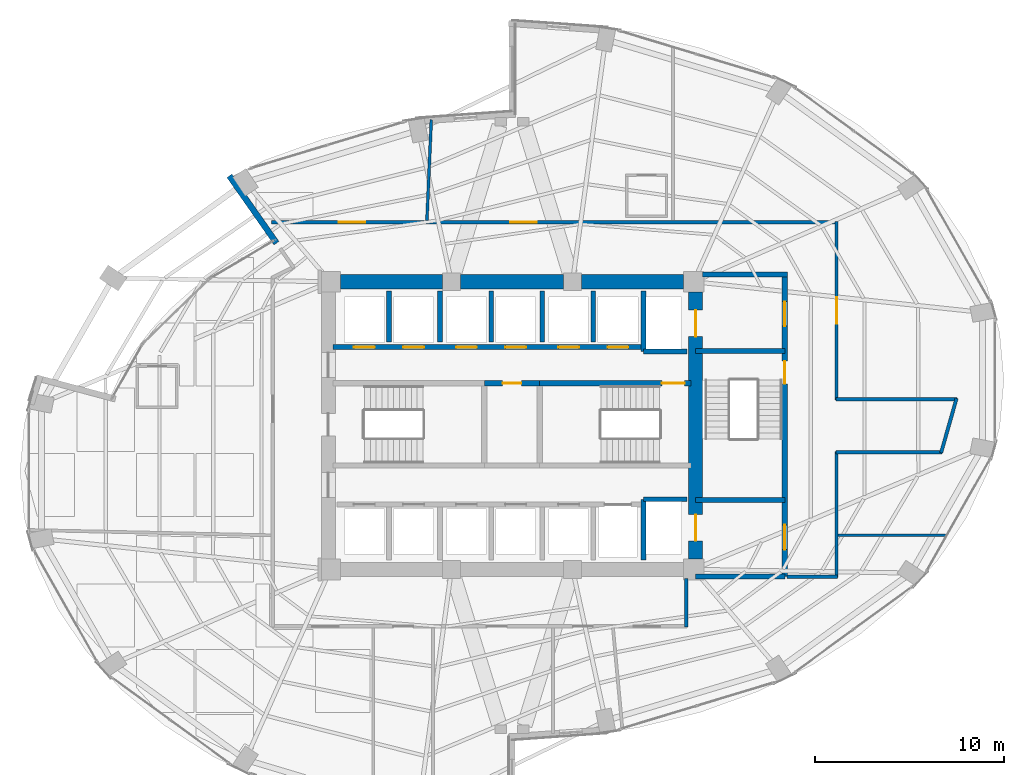
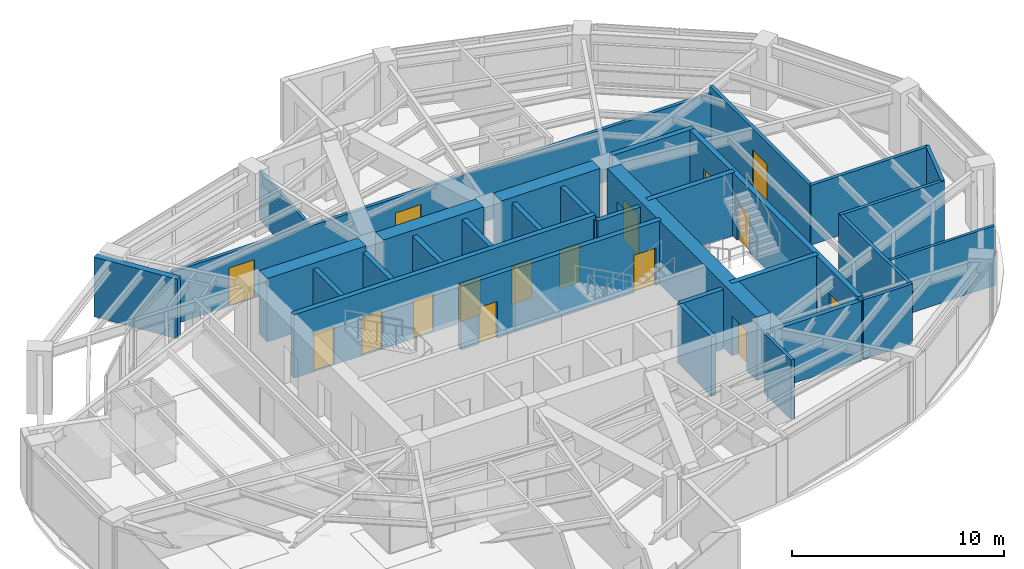
# One storey, part 21 of 24: 32 walls, 16 doors, 16 openings.
"""IFC4 building model written with IfcOpenShell, lengths in metres."""

from ifc_helpers import new_model, si_unit, direction, frame, frame_2d, origin, place, context, subcontext, project, spatial, rectangle, extrude, material, layer, layer_set, type_object, element, fill, save


model = new_model("IFC4")

# Units and contexts
model_context = context("Model", 3, precision=1e-05, world=origin(), true_north=direction((0.0, 1.0)))
body_context = subcontext(model_context, "Body", "Model", "MODEL_VIEW")
ifc_project = project(units=[si_unit("LENGTHUNIT", "METRE"), si_unit("AREAUNIT", "SQUARE_METRE"), si_unit("VOLUMEUNIT", "CUBIC_METRE"), si_unit("PLANEANGLEUNIT", "RADIAN"), si_unit("MASSUNIT", "GRAM", prefix="KILO")], contexts=[model_context])

# Site, building, storey
site_placement = place(None, origin())
site = spatial("IfcSite", under=ifc_project, at=site_placement, CompositionType="ELEMENT")
building_placement = place(site_placement, origin())
building = spatial("IfcBuilding", under=site, at=building_placement, Name="Lazwardi Medical Tower", CompositionType="ELEMENT")
storey_placement = place(building_placement, frame((0.0, 0.0, 118.22412109375)))
storey = spatial("IfcBuildingStorey", under=building, at=storey_placement, Name="L30", CompositionType="ELEMENT", Elevation=118.22412109375)

# Wall, openings, doors
ifc_material_1 = material(Name="Fire-rated gypsum board on steel stud", Category="steel")
ifc_layer_1 = layer(ifc_material_1, 0.179931640625)
ifc_layer_set_1 = layer_set([ifc_layer_1], Name="Fire-rated gypsum board on steel stud")
wall_type_1 = type_object("IfcWallType", Name="WL-COR-180", PredefinedType="PARTITIONING", material=ifc_layer_set_1)
wall_1_placement = place(storey_placement, frame((23.28662109375, 38.75, 0.0), z_axis=(0.0, 0.0, 1.0), x_axis=(1.0, 0.0, 0.0)))
wall_1 = element("IfcWall", 1, at=wall_1_placement, inside=storey, type_object=wall_type_1, Name="L30 Corridor partition 4", PredefinedType="PARTITIONING", context=body_context, shape_type="SweptSolid", body=[
    extrude(rectangle(XDim=29.9033203125, YDim=0.179931640625, at=frame_2d((14.95166015625, 0.0))), origin(), (0.0, 0.0, 1.0), 3.052978515625),
])
opening_1_placement = place(wall_1_placement, frame((12.614990234375, 0.0, 0.0)))
opening_1 = element("IfcOpeningElement", 2, at=opening_1_placement, cuts=wall_1, Name="Opening D-L30-014", PredefinedType="OPENING", context=body_context, shape_type="SweptSolid", body=[
    extrude(rectangle(XDim=1.39990234375, YDim=2.199951171875, at=frame_2d((0.699951171875, 1.10009765625))), frame((0.0, 0.099853515625, 0.0), z_axis=(0.0, -1.0, 0.0), x_axis=(1.0, 0.0, 0.0)), (0.0, 0.0, 1.0), 0.199951171875),
])
opening_2_placement = place(wall_1_placement, frame((3.5673828125, 0.0, 0.0)))
opening_2 = element("IfcOpeningElement", 3, at=opening_2_placement, cuts=wall_1, Name="Opening D-L30-015", PredefinedType="OPENING", context=body_context, shape_type="SweptSolid", body=[
    extrude(rectangle(XDim=1.39990234375, YDim=2.199951171875, at=frame_2d((0.699951171875, 1.10009765625))), frame((0.0, 0.099853515625, 0.0), z_axis=(0.0, -1.0, 0.0), x_axis=(1.0, 0.0, 0.0)), (0.0, 0.0, 1.0), 0.199951171875),
])
ifc_material_2 = material(Name="Anti-microbial laminate hospital leaf")
door_type_1 = type_object("IfcDoorType", Name="DR-BED-1400", OperationType="NOTDEFINED", PredefinedType="DOOR", material=ifc_material_2)
door_1_placement = place(opening_1_placement, origin())
door_1 = element("IfcDoor", 4, at=door_1_placement, inside=storey, type_object=door_type_1, Name="L30 Inpatient Ward Door 07", OperationType="SINGLE_SWING_LEFT", OverallHeight=2.199951171875, OverallWidth=1.39990234375, PredefinedType="DOOR", context=body_context, shape_type="SweptSolid", body=[
    extrude(rectangle(XDim=1.39990234375, YDim=2.199951171875, at=frame_2d((0.699951171875, 1.10009765625))), frame((0.0, 0.02490234375, 0.0), z_axis=(0.0, -1.0, 0.0), x_axis=(1.0, 0.0, 0.0)), (0.0, 0.0, 1.0), 0.050048828125),
])
fill(opening_1, door_1)
door_2_placement = place(opening_2_placement, origin())
door_2 = element("IfcDoor", 5, at=door_2_placement, inside=storey, type_object=door_type_1, Name="L30 Inpatient Ward Door 08", OperationType="SINGLE_SWING_RIGHT", OverallHeight=2.199951171875, OverallWidth=1.39990234375, PredefinedType="DOOR", context=body_context, shape_type="SweptSolid", body=[
    extrude(rectangle(XDim=1.39990234375, YDim=2.199951171875, at=frame_2d((0.699951171875, 1.10009765625))), frame((0.0, 0.02490234375, 0.0), z_axis=(0.0, -1.0, 0.0), x_axis=(1.0, 0.0, 0.0)), (0.0, 0.0, 1.0), 0.050048828125),
])
fill(opening_2, door_2)

# Wall, opening, door
wall_2_placement = place(storey_placement, frame((53.14990234375, 38.7900390625, 0.0), z_axis=(0.0, 0.0, 1.0), x_axis=(0.0, -1.0, 0.0)))
wall_2 = element("IfcWall", 6, at=wall_2_placement, inside=storey, type_object=wall_type_1, Name="L30 Corridor partition 5", PredefinedType="PARTITIONING", context=body_context, shape_type="SweptSolid", body=[
    extrude(rectangle(XDim=9.429931640625, YDim=0.179931640625, at=frame_2d((4.71484375, 0.0))), origin(), (0.0, 0.0, 1.0), 3.427978515625),
])
opening_3_placement = place(wall_2_placement, frame((4.014892578125, 0.0, 0.0)))
opening_3 = element("IfcOpeningElement", 7, at=opening_3_placement, cuts=wall_2, Name="Opening D-L30-013", PredefinedType="OPENING", context=body_context, shape_type="SweptSolid", body=[
    extrude(rectangle(XDim=1.39990234375, YDim=2.199951171875, at=frame_2d((0.699951171875, 1.10009765625))), frame((0.0, 0.099853515625, 0.0), z_axis=(0.0, -1.0, 0.0), x_axis=(1.0, 0.0, 0.0)), (0.0, 0.0, 1.0), 0.199951171875),
])
door_3_placement = place(opening_3_placement, origin())
door_3 = element("IfcDoor", 8, at=door_3_placement, inside=storey, type_object=door_type_1, Name="L30 Inpatient Ward Door 06", OperationType="SINGLE_SWING_LEFT", OverallHeight=2.199951171875, OverallWidth=1.39990234375, PredefinedType="DOOR", context=body_context, shape_type="SweptSolid", body=[
    extrude(rectangle(XDim=1.39990234375, YDim=2.199951171875, at=frame_2d((0.699951171875, 1.10009765625))), frame((0.0, 0.02490234375, 0.0), z_axis=(0.0, -1.0, 0.0), x_axis=(1.0, 0.0, 0.0)), (0.0, 0.0, 1.0), 0.050048828125),
])
fill(opening_3, door_3)

# Walls
wall_3_placement = place(storey_placement, frame((53.110107421875, 29.39990234375, 0.0), z_axis=(0.0, 0.0, 1.0), x_axis=(1.0, 0.0, 0.0)))
element("IfcWall", 9, at=wall_3_placement, inside=storey, type_object=wall_type_1, Name="L30 Corridor partition 6", PredefinedType="PARTITIONING", context=body_context, shape_type="SweptSolid", body=[
    extrude(rectangle(XDim=6.41259765625, YDim=0.179931640625, at=frame_2d((3.206298828125, 0.0))), origin(), (0.0, 0.0, 1.0), 3.427978515625),
])
wall_4_placement = place(storey_placement, frame((59.49365234375, 29.4384765625, 0.0), z_axis=(0.0, 0.0, 1.0), x_axis=(-0.273222154729, -0.961950962453, 0.0)))
element("IfcWall", 10, at=wall_4_placement, inside=storey, type_object=wall_type_1, Name="L30 Corridor partition 7", PredefinedType="PARTITIONING", context=body_context, shape_type="SweptSolid", body=[
    extrude(rectangle(XDim=2.99072265625, YDim=0.179931640625, at=frame_2d((1.495361328125, 0.0))), origin(), (0.0, 0.0, 1.0), 3.427978515625),
])
wall_5_placement = place(storey_placement, frame((58.727294921875, 26.60009765625, 0.0), z_axis=(0.0, 0.0, 1.0), x_axis=(-1.0, 0.0, 0.0)))
element("IfcWall", 11, at=wall_5_placement, inside=storey, type_object=wall_type_1, Name="L30 Corridor partition 8", PredefinedType="PARTITIONING", context=body_context, shape_type="SweptSolid", body=[
    extrude(rectangle(XDim=5.6171875, YDim=0.179931640625, at=frame_2d((2.80859375, 0.0))), origin(), (0.0, 0.0, 1.0), 3.427978515625),
])
wall_6_placement = place(storey_placement, frame((53.14990234375, 26.639892578125, 0.0), z_axis=(0.0, 0.0, 1.0), x_axis=(0.0, -1.0, 0.0)))
element("IfcWall", 12, at=wall_6_placement, inside=storey, type_object=wall_type_1, Name="L30 Corridor partition 9", PredefinedType="PARTITIONING", context=body_context, shape_type="SweptSolid", body=[
    extrude(rectangle(XDim=6.659912109375, YDim=0.179931640625, at=frame_2d((3.330078125, 0.0))), origin(), (0.0, 0.0, 1.0), 3.427978515625),
])
wall_7_placement = place(storey_placement, frame((53.18994140625, 20.02001953125, 0.0), z_axis=(0.0, 0.0, 1.0), x_axis=(-1.0, 0.0, 0.0)))
element("IfcWall", 13, at=wall_7_placement, inside=storey, type_object=wall_type_1, Name="L30 Corridor partition 10", PredefinedType="PARTITIONING", context=body_context, shape_type="SweptSolid", body=[
    extrude(rectangle(XDim=2.64990234375, YDim=0.179931640625, at=frame_2d((1.324951171875, 0.0))), origin(), (0.0, 0.0, 1.0), 3.427978515625),
])
wall_8_placement = place(storey_placement, frame((45.199951171875, 19.909912109375, 0.0), z_axis=(0.0, 0.0, 1.0), x_axis=(0.0, -1.0, 0.0)))
element("IfcWall", 14, at=wall_8_placement, inside=storey, type_object=wall_type_1, Name="L30 Corridor partition 13", PredefinedType="PARTITIONING", context=body_context, shape_type="SweptSolid", body=[
    extrude(rectangle(XDim=2.5498046875, YDim=0.179931640625, at=frame_2d((1.27490234375, 0.0))), origin(), (0.0, 0.0, 1.0), 3.427978515625),
])

# Wall, openings, doors
ifc_material_3 = material(Name="Concrete C70/85", Category="concrete")
ifc_layer_2 = layer(ifc_material_3, 0.75)
ifc_layer_set_2 = layer_set([ifc_layer_2], Name="Concrete C70/85")
wall_type_2 = type_object("IfcWallType", Name="WL-CORE-750", PredefinedType="SHEAR", material=ifc_layer_set_2)
wall_9_placement = place(storey_placement, frame((45.699951171875, 20.949951171875, 0.0), z_axis=(0.0, 0.0, 1.0), x_axis=(0.0, 1.0, 0.0)))
wall_9 = element("IfcWall", 15, at=wall_9_placement, inside=storey, type_object=wall_type_2, Name="Core wall CW-S2 east L30", PredefinedType="SHEAR", context=body_context, shape_type="SweptSolid", body=[
    extrude(rectangle(XDim=14.10009765625, YDim=0.75, at=frame_2d((7.050048828125, 0.0))), origin(), (0.0, 0.0, 1.0), 3.64794921875),
])
opening_4_placement = place(wall_9_placement, frame((11.75, 0.0, 0.0)))
opening_4 = element("IfcOpeningElement", 16, at=opening_4_placement, cuts=wall_9, Name="Opening LD-L30-001", PredefinedType="OPENING", context=body_context, shape_type="SweptSolid", body=[
    extrude(rectangle(XDim=1.39990234375, YDim=2.300048828125, at=frame_2d((0.699951171875, 1.14990234375))), frame((0.0, 0.385009765625, 0.0), z_axis=(0.0, -1.0, 0.0), x_axis=(1.0, 0.0, 0.0)), (0.0, 0.0, 1.0), 0.77001953125),
])
opening_5_placement = place(wall_9_placement, frame((0.949951171875, 0.0, 0.0)))
opening_5 = element("IfcOpeningElement", 17, at=opening_5_placement, cuts=wall_9, Name="Opening LD-L30-002", PredefinedType="OPENING", context=body_context, shape_type="SweptSolid", body=[
    extrude(rectangle(XDim=1.39990234375, YDim=2.300048828125, at=frame_2d((0.699951171875, 1.14990234375))), frame((0.0, 0.385009765625, 0.0), z_axis=(0.0, -1.0, 0.0), x_axis=(1.0, 0.0, 0.0)), (0.0, 0.0, 1.0), 0.77001953125),
])
ifc_material_4 = material(Name="Brushed stainless steel bed-lift landing door", Category="steel")
door_type_2 = type_object("IfcDoorType", Name="DR-LFT-1400", OperationType="NOTDEFINED", PredefinedType="DOOR", material=ifc_material_4)
door_4_placement = place(opening_4_placement, origin())
door_4 = element("IfcDoor", 18, at=door_4_placement, inside=storey, type_object=door_type_2, Name="L30 Lift Landing Door FL-01", OperationType="SLIDING_TO_LEFT", OverallHeight=2.300048828125, OverallWidth=1.39990234375, PredefinedType="DOOR", context=body_context, shape_type="SweptSolid", body=[
    extrude(rectangle(XDim=1.39990234375, YDim=2.300048828125, at=frame_2d((0.699951171875, 1.14990234375))), frame((0.0, 0.02490234375, 0.0), z_axis=(0.0, -1.0, 0.0), x_axis=(1.0, 0.0, 0.0)), (0.0, 0.0, 1.0), 0.050048828125),
])
fill(opening_4, door_4)
door_5_placement = place(opening_5_placement, origin())
door_5 = element("IfcDoor", 19, at=door_5_placement, inside=storey, type_object=door_type_2, Name="L30 Lift Landing Door FL-02", OperationType="SLIDING_TO_LEFT", OverallHeight=2.300048828125, OverallWidth=1.39990234375, PredefinedType="DOOR", context=body_context, shape_type="SweptSolid", body=[
    extrude(rectangle(XDim=1.39990234375, YDim=2.300048828125, at=frame_2d((0.699951171875, 1.14990234375))), frame((0.0, 0.02490234375, 0.0), z_axis=(0.0, -1.0, 0.0), x_axis=(1.0, 0.0, 0.0)), (0.0, 0.0, 1.0), 0.050048828125),
])
fill(opening_5, door_5)

# Walls
wall_10_placement = place(storey_placement, frame((26.949951171875, 35.60009765625, 0.0), z_axis=(0.0, 0.0, 1.0), x_axis=(1.0, 0.0, 0.0)))
element("IfcWall", 20, at=wall_10_placement, inside=storey, type_object=wall_type_2, Name="Core wall CW-S2 N1 L30", PredefinedType="SHEAR", context=body_context, shape_type="SweptSolid", body=[
    extrude(rectangle(XDim=5.375, YDim=0.75, at=frame_2d((2.6875, 0.0))), origin(), (0.0, 0.0, 1.0), 3.64794921875),
])
wall_11_placement = place(storey_placement, frame((33.27490234375, 35.60009765625, 0.0), z_axis=(0.0, 0.0, 1.0), x_axis=(1.0, 0.0, 0.0)))
element("IfcWall", 21, at=wall_11_placement, inside=storey, type_object=wall_type_2, Name="Core wall CW-S2 N2 L30", PredefinedType="SHEAR", context=body_context, shape_type="SweptSolid", body=[
    extrude(rectangle(XDim=5.4501953125, YDim=0.75, at=frame_2d((2.72509765625, 0.0))), origin(), (0.0, 0.0, 1.0), 3.64794921875),
])
wall_12_placement = place(storey_placement, frame((39.675048828125, 35.60009765625, 0.0), z_axis=(0.0, 0.0, 1.0), x_axis=(1.0, 0.0, 0.0)))
element("IfcWall", 22, at=wall_12_placement, inside=storey, type_object=wall_type_2, Name="Core wall CW-S2 N3 L30", PredefinedType="SHEAR", context=body_context, shape_type="SweptSolid", body=[
    extrude(rectangle(XDim=5.375, YDim=0.75, at=frame_2d((2.6875, 0.0))), origin(), (0.0, 0.0, 1.0), 3.64794921875),
])
ifc_material_5 = material(Name="Precast concrete C45/55", Category="concrete")
ifc_layer_3 = layer(ifc_material_5, 0.320068359375)
ifc_layer_set_3 = layer_set([ifc_layer_3], Name="Precast concrete C45/55")
wall_type_3 = type_object("IfcWallType", Name="WL-IWAN-320", PredefinedType="SOLIDWALL", material=ifc_layer_set_3)
wall_13_placement = place(storey_placement, frame((21.064208984375, 41.196533203125, 0.0), z_axis=(0.0, 0.0, 1.0), x_axis=(0.573586931721, -0.819144695252, 0.0)))
element("IfcWall", 23, at=wall_13_placement, inside=storey, type_object=wall_type_3, Name="L30 Sky Garden SG2 Flank Wall S0", PredefinedType="SOLIDWALL", context=body_context, shape_type="SweptSolid", body=[
    extrude(rectangle(XDim=4.33984375, YDim=0.320068359375, at=frame_2d((2.169921875, 0.0))), origin(), (0.0, 0.0, 1.0), 3.427978515625),
])
ifc_material_6 = material(Name="Autoclaved aerated concrete blockwork", Category="masonry")
ifc_layer_4 = layer(ifc_material_6, 0.25)
ifc_layer_set_4 = layer_set([ifc_layer_4], Name="Autoclaved aerated concrete blockwork")
wall_type_4 = type_object("IfcWallType", Name="WL-SHAFT-250", PredefinedType="SOLIDWALL", material=ifc_layer_set_4)
wall_14_placement = place(storey_placement, frame((42.949951171875, 31.919921875, 0.0), z_axis=(0.0, 0.0, 1.0), x_axis=(0.0, 1.0, 0.0)))
element("IfcWall", 24, at=wall_14_placement, inside=storey, type_object=wall_type_4, Name="L30 FL-01 West shaft wall", PredefinedType="SOLIDWALL", context=body_context, shape_type="SweptSolid", body=[
    extrude(rectangle(XDim=3.18017578125, YDim=0.25, at=frame_2d((1.590087890625, 0.0))), origin(), (0.0, 0.0, 1.0), 3.427978515625),
])
wall_15_placement = place(storey_placement, frame((42.949951171875, 31.919921875, 0.0), z_axis=(0.0, 0.0, 1.0), x_axis=(1.0, 0.0, 0.0)))
element("IfcWall", 25, at=wall_15_placement, inside=storey, type_object=wall_type_4, Name="L30 FL-01 South shaft wall", PredefinedType="SOLIDWALL", context=body_context, shape_type="SweptSolid", body=[
    extrude(rectangle(XDim=2.300048828125, YDim=0.25, at=frame_2d((1.14990234375, 0.0))), origin(), (0.0, 0.0, 1.0), 3.427978515625),
])
wall_16_placement = place(storey_placement, frame((42.949951171875, 20.89990234375, 0.0), z_axis=(0.0, 0.0, 1.0), x_axis=(0.0, 1.0, 0.0)))
element("IfcWall", 26, at=wall_16_placement, inside=storey, type_object=wall_type_4, Name="L30 FL-02 West shaft wall", PredefinedType="SOLIDWALL", context=body_context, shape_type="SweptSolid", body=[
    extrude(rectangle(XDim=3.2001953125, YDim=0.25, at=frame_2d((1.60009765625, 0.0))), origin(), (0.0, 0.0, 1.0), 3.427978515625),
])
wall_17_placement = place(storey_placement, frame((42.949951171875, 24.10009765625, 0.0), z_axis=(0.0, 0.0, 1.0), x_axis=(1.0, 0.0, 0.0)))
element("IfcWall", 27, at=wall_17_placement, inside=storey, type_object=wall_type_4, Name="L30 FL-02 North shaft wall", PredefinedType="SOLIDWALL", context=body_context, shape_type="SweptSolid", body=[
    extrude(rectangle(XDim=2.300048828125, YDim=0.25, at=frame_2d((1.14990234375, 0.0))), origin(), (0.0, 0.0, 1.0), 3.427978515625),
])
for number, where, z_axis, x_axis, name in (
    (28, (29.5, 32.419921875, 0.0), (0.0, 0.0, 1.0), (0.0, 1.0, 0.0), "L30 North hoistway divider"),
    (29, (32.199951171875, 32.419921875, 0.0), (0.0, 0.0, 1.0), (0.0, 1.0, 0.0), "L30 North hoistway divider"),
    (30, (34.89990234375, 32.419921875, 0.0), (0.0, 0.0, 1.0), (0.0, 1.0, 0.0), "L30 North hoistway divider"),
    (31, (37.60009765625, 32.419921875, 0.0), (0.0, 0.0, 1.0), (0.0, 1.0, 0.0), "L30 North hoistway divider"),
    (32, (40.300048828125, 32.419921875, 0.0), (0.0, 0.0, 1.0), (0.0, 1.0, 0.0), "L30 North hoistway divider"),
):
    element("IfcWall", number, at=place(storey_placement, frame(where, z_axis=z_axis, x_axis=x_axis)), inside=storey, type_object=wall_type_4, Name=name, PredefinedType="SOLIDWALL", context=body_context, shape_type="SweptSolid", body=[
        extrude(rectangle(XDim=2.68017578125, YDim=0.25, at=frame_2d((1.340087890625, 0.0))), origin(), (0.0, 0.0, 1.0), 3.427978515625),
    ])
wall_18_placement = place(storey_placement, frame((45.699951171875, 20.02001953125, 0.0), z_axis=(0.0, 0.0, 1.0), x_axis=(1.0, 0.0, 0.0)))
element("IfcWall", 33, at=wall_18_placement, inside=storey, type_object=wall_type_4, Name="L30 FFL-S South wall", PredefinedType="SOLIDWALL", context=body_context, shape_type="SweptSolid", body=[
    extrude(rectangle(XDim=4.715087890625, YDim=0.25, at=frame_2d((2.357421875, 0.0))), origin(), (0.0, 0.0, 1.0), 3.427978515625),
])

# Wall, opening, door
ifc_material_7 = material(Name="Concrete C50/60", Category="concrete")
ifc_layer_5 = layer(ifc_material_7, 0.27001953125)
ifc_layer_set_5 = layer_set([ifc_layer_5], Name="Concrete C50/60")
wall_type_5 = type_object("IfcWallType", Name="WL-STR-250", PredefinedType="SHEAR", material=ifc_layer_set_5)
wall_19_placement = place(storey_placement, frame((34.534912109375, 30.235107421875, 0.0), z_axis=(0.0, 0.0, 1.0), x_axis=(1.0, 0.0, 0.0)))
wall_19 = element("IfcWall", 34, at=wall_19_placement, inside=storey, type_object=wall_type_5, Name="L30 Core service North shear wall SW-S1", PredefinedType="SHEAR", context=body_context, shape_type="SweptSolid", body=[
    extrude(rectangle(XDim=2.93017578125, YDim=0.27001953125, at=frame_2d((1.465087890625, 0.0))), origin(), (0.0, 0.0, 1.0), 3.64794921875),
])
opening_6_placement = place(wall_19_placement, frame((0.965087890625, 0.0, 0.0)))
opening_6 = element("IfcOpeningElement", 35, at=opening_6_placement, cuts=wall_19, Name="Opening D-L30-001", PredefinedType="OPENING", context=body_context, shape_type="SweptSolid", body=[
    extrude(rectangle(XDim=1.0, YDim=2.10009765625, at=frame_2d((0.5, 1.050048828125))), frame((0.0, 0.14501953125, 0.0), z_axis=(0.0, -1.0, 0.0), x_axis=(1.0, 0.0, 0.0)), (0.0, 0.0, 1.0), 0.2900390625),
])
ifc_material_8 = material(Name="Moisture-resistant laminate door leaf")
door_type_3 = type_object("IfcDoorType", Name="DR-AWC-1000", OperationType="NOTDEFINED", PredefinedType="DOOR", material=ifc_material_8)
door_6_placement = place(opening_6_placement, origin())
door_6 = element("IfcDoor", 36, at=door_6_placement, inside=storey, type_object=door_type_3, Name="L30 Accessible WC Door", OperationType="SINGLE_SWING_RIGHT", OverallHeight=2.10009765625, OverallWidth=1.0, PredefinedType="DOOR", context=body_context, shape_type="SweptSolid", body=[
    extrude(rectangle(XDim=1.0, YDim=2.10009765625, at=frame_2d((0.5, 1.050048828125))), frame((0.0, 0.02490234375, 0.0), z_axis=(0.0, -1.0, 0.0), x_axis=(1.0, 0.0, 0.0)), (0.0, 0.0, 1.0), 0.050048828125),
])
fill(opening_6, door_6)

wall_20_placement = place(storey_placement, frame((37.465087890625, 30.235107421875, 0.0), z_axis=(0.0, 0.0, 1.0), x_axis=(1.0, 0.0, 0.0)))
wall_20 = element("IfcWall", 37, at=wall_20_placement, inside=storey, type_object=wall_type_5, Name="L30 ST2 North shear shaft wall SW-S1", PredefinedType="SHEAR", context=body_context, shape_type="SweptSolid", body=[
    extrude(rectangle(XDim=7.98486328125, YDim=0.27001953125, at=frame_2d((3.992431640625, 0.0))), origin(), (0.0, 0.0, 1.0), 3.64794921875),
])
opening_7_placement = place(wall_20_placement, frame((6.455078125, 0.0, 0.0)))
opening_7 = element("IfcOpeningElement", 38, at=opening_7_placement, cuts=wall_20, Name="Opening D-L30-018", PredefinedType="OPENING", context=body_context, shape_type="SweptSolid", body=[
    extrude(rectangle(XDim=1.199951171875, YDim=2.14990234375, at=frame_2d((0.60009765625, 1.074951171875))), frame((0.0, 0.14501953125, 0.0), z_axis=(0.0, -1.0, 0.0), x_axis=(1.0, 0.0, 0.0)), (0.0, 0.0, 1.0), 0.2900390625),
])
ifc_material_9 = material(Name="Fire-rated steel leaf and frame", Category="steel")
door_type_4 = type_object("IfcDoorType", Name="DR-STR-1200", OperationType="NOTDEFINED", PredefinedType="DOOR", material=ifc_material_9)
door_7_placement = place(opening_7_placement, origin())
door_7 = element("IfcDoor", 39, at=door_7_placement, inside=storey, type_object=door_type_4, Name="L30 Exit Stair ST2 Door", OperationType="SINGLE_SWING_LEFT", OverallHeight=2.14990234375, OverallWidth=1.199951171875, PredefinedType="DOOR", context=body_context, shape_type="SweptSolid", body=[
    extrude(rectangle(XDim=1.199951171875, YDim=2.14990234375, at=frame_2d((0.60009765625, 1.074951171875))), frame((0.0, 0.02490234375, 0.0), z_axis=(0.0, -1.0, 0.0), x_axis=(1.0, 0.0, 0.0)), (0.0, 0.0, 1.0), 0.050048828125),
])
fill(opening_7, door_7)

# Wall, openings, doors
wall_21_placement = place(storey_placement, frame((26.550048828125, 32.14990234375, 0.0), z_axis=(0.0, 0.0, 1.0), x_axis=(1.0, 0.0, 0.0)))
wall_21 = element("IfcWall", 40, at=wall_21_placement, inside=storey, type_object=wall_type_5, Name="L30 North lift bank shear wall SW-S1", PredefinedType="SHEAR", context=body_context, shape_type="SweptSolid", body=[
    extrude(rectangle(XDim=16.39990234375, YDim=0.27001953125, at=frame_2d((8.199951171875, 0.0))), origin(), (0.0, 0.0, 1.0), 3.64794921875),
])
opening_8_placement = place(wall_21_placement, frame((1.10009765625, 0.0, 0.0)))
opening_8 = element("IfcOpeningElement", 41, at=opening_8_placement, cuts=wall_21, Name="Opening LD-L30-004", PredefinedType="OPENING", context=body_context, shape_type="SweptSolid", body=[
    extrude(rectangle(XDim=1.10009765625, YDim=2.199951171875, at=frame_2d((0.550048828125, 1.10009765625))), frame((0.0, 0.14501953125, 0.0), z_axis=(0.0, -1.0, 0.0), x_axis=(1.0, 0.0, 0.0)), (0.0, 0.0, 1.0), 0.2900390625),
])
opening_9_placement = place(wall_21_placement, frame((3.699951171875, 0.0, 0.0)))
opening_9 = element("IfcOpeningElement", 42, at=opening_9_placement, cuts=wall_21, Name="Opening LD-L30-005", PredefinedType="OPENING", context=body_context, shape_type="SweptSolid", body=[
    extrude(rectangle(XDim=1.10009765625, YDim=2.199951171875, at=frame_2d((0.550048828125, 1.10009765625))), frame((0.0, 0.14501953125, 0.0), z_axis=(0.0, -1.0, 0.0), x_axis=(1.0, 0.0, 0.0)), (0.0, 0.0, 1.0), 0.2900390625),
])
opening_10_placement = place(wall_21_placement, frame((6.5, 0.0, 0.0)))
opening_10 = element("IfcOpeningElement", 43, at=opening_10_placement, cuts=wall_21, Name="Opening LD-L30-008", PredefinedType="OPENING", context=body_context, shape_type="SweptSolid", body=[
    extrude(rectangle(XDim=1.10009765625, YDim=2.199951171875, at=frame_2d((0.550048828125, 1.10009765625))), frame((0.0, 0.14501953125, 0.0), z_axis=(0.0, -1.0, 0.0), x_axis=(1.0, 0.0, 0.0)), (0.0, 0.0, 1.0), 0.2900390625),
])
opening_11_placement = place(wall_21_placement, frame((9.10009765625, 0.0, 0.0)))
opening_11 = element("IfcOpeningElement", 44, at=opening_11_placement, cuts=wall_21, Name="Opening LD-L30-009", PredefinedType="OPENING", context=body_context, shape_type="SweptSolid", body=[
    extrude(rectangle(XDim=1.10009765625, YDim=2.199951171875, at=frame_2d((0.550048828125, 1.10009765625))), frame((0.0, 0.14501953125, 0.0), z_axis=(0.0, -1.0, 0.0), x_axis=(1.0, 0.0, 0.0)), (0.0, 0.0, 1.0), 0.2900390625),
])
opening_12_placement = place(wall_21_placement, frame((11.89990234375, 0.0, 0.0)))
opening_12 = element("IfcOpeningElement", 45, at=opening_12_placement, cuts=wall_21, Name="Opening LD-L30-012", PredefinedType="OPENING", context=body_context, shape_type="SweptSolid", body=[
    extrude(rectangle(XDim=1.10009765625, YDim=2.199951171875, at=frame_2d((0.550048828125, 1.10009765625))), frame((0.0, 0.14501953125, 0.0), z_axis=(0.0, -1.0, 0.0), x_axis=(1.0, 0.0, 0.0)), (0.0, 0.0, 1.0), 0.2900390625),
])
opening_13_placement = place(wall_21_placement, frame((14.5, 0.0, 0.0)))
opening_13 = element("IfcOpeningElement", 46, at=opening_13_placement, cuts=wall_21, Name="Opening LD-L30-013", PredefinedType="OPENING", context=body_context, shape_type="SweptSolid", body=[
    extrude(rectangle(XDim=1.10009765625, YDim=2.199951171875, at=frame_2d((0.550048828125, 1.10009765625))), frame((0.0, 0.14501953125, 0.0), z_axis=(0.0, -1.0, 0.0), x_axis=(1.0, 0.0, 0.0)), (0.0, 0.0, 1.0), 0.2900390625),
])
ifc_material_10 = material(Name="Brushed bronze stainless steel landing door", Category="steel")
door_type_5 = type_object("IfcDoorType", Name="DR-LFT-1100", OperationType="NOTDEFINED", PredefinedType="DOOR", material=ifc_material_10)
door_8_placement = place(opening_8_placement, origin())
door_8 = element("IfcDoor", 47, at=door_8_placement, inside=storey, type_object=door_type_5, Name="L30 Lift Landing Door PL-01", OperationType="SLIDING_TO_LEFT", OverallHeight=2.199951171875, OverallWidth=1.10009765625, PredefinedType="DOOR", context=body_context, shape_type="SweptSolid", body=[
    extrude(rectangle(XDim=1.10009765625, YDim=2.199951171875, at=frame_2d((0.550048828125, 1.10009765625))), frame((0.0, 0.02490234375, 0.0), z_axis=(0.0, -1.0, 0.0), x_axis=(1.0, 0.0, 0.0)), (0.0, 0.0, 1.0), 0.050048828125),
])
fill(opening_8, door_8)
door_9_placement = place(opening_9_placement, origin())
door_9 = element("IfcDoor", 48, at=door_9_placement, inside=storey, type_object=door_type_5, Name="L30 Lift Landing Door PL-02", OperationType="SLIDING_TO_LEFT", OverallHeight=2.199951171875, OverallWidth=1.10009765625, PredefinedType="DOOR", context=body_context, shape_type="SweptSolid", body=[
    extrude(rectangle(XDim=1.10009765625, YDim=2.199951171875, at=frame_2d((0.550048828125, 1.10009765625))), frame((0.0, 0.02490234375, 0.0), z_axis=(0.0, -1.0, 0.0), x_axis=(1.0, 0.0, 0.0)), (0.0, 0.0, 1.0), 0.050048828125),
])
fill(opening_9, door_9)
door_10_placement = place(opening_10_placement, origin())
door_10 = element("IfcDoor", 49, at=door_10_placement, inside=storey, type_object=door_type_5, Name="L30 Lift Landing Door PL-05", OperationType="SLIDING_TO_LEFT", OverallHeight=2.199951171875, OverallWidth=1.10009765625, PredefinedType="DOOR", context=body_context, shape_type="SweptSolid", body=[
    extrude(rectangle(XDim=1.10009765625, YDim=2.199951171875, at=frame_2d((0.550048828125, 1.10009765625))), frame((0.0, 0.02490234375, 0.0), z_axis=(0.0, -1.0, 0.0), x_axis=(1.0, 0.0, 0.0)), (0.0, 0.0, 1.0), 0.050048828125),
])
fill(opening_10, door_10)
door_11_placement = place(opening_11_placement, origin())
door_11 = element("IfcDoor", 50, at=door_11_placement, inside=storey, type_object=door_type_5, Name="L30 Lift Landing Door PL-06", OperationType="SLIDING_TO_LEFT", OverallHeight=2.199951171875, OverallWidth=1.10009765625, PredefinedType="DOOR", context=body_context, shape_type="SweptSolid", body=[
    extrude(rectangle(XDim=1.10009765625, YDim=2.199951171875, at=frame_2d((0.550048828125, 1.10009765625))), frame((0.0, 0.02490234375, 0.0), z_axis=(0.0, -1.0, 0.0), x_axis=(1.0, 0.0, 0.0)), (0.0, 0.0, 1.0), 0.050048828125),
])
fill(opening_11, door_11)
door_12_placement = place(opening_12_placement, origin())
door_12 = element("IfcDoor", 51, at=door_12_placement, inside=storey, type_object=door_type_5, Name="L30 Lift Landing Door PL-09", OperationType="SLIDING_TO_LEFT", OverallHeight=2.199951171875, OverallWidth=1.10009765625, PredefinedType="DOOR", context=body_context, shape_type="SweptSolid", body=[
    extrude(rectangle(XDim=1.10009765625, YDim=2.199951171875, at=frame_2d((0.550048828125, 1.10009765625))), frame((0.0, 0.02490234375, 0.0), z_axis=(0.0, -1.0, 0.0), x_axis=(1.0, 0.0, 0.0)), (0.0, 0.0, 1.0), 0.050048828125),
])
fill(opening_12, door_12)
door_13_placement = place(opening_13_placement, origin())
door_13 = element("IfcDoor", 52, at=door_13_placement, inside=storey, type_object=door_type_5, Name="L30 Lift Landing Door PL-10", OperationType="SLIDING_TO_LEFT", OverallHeight=2.199951171875, OverallWidth=1.10009765625, PredefinedType="DOOR", context=body_context, shape_type="SweptSolid", body=[
    extrude(rectangle(XDim=1.10009765625, YDim=2.199951171875, at=frame_2d((0.550048828125, 1.10009765625))), frame((0.0, 0.02490234375, 0.0), z_axis=(0.0, -1.0, 0.0), x_axis=(1.0, 0.0, 0.0)), (0.0, 0.0, 1.0), 0.050048828125),
])
fill(opening_13, door_13)

wall_22_placement = place(storey_placement, frame((50.4150390625, 35.844970703125, 0.0), z_axis=(0.0, 0.0, 1.0), x_axis=(0.0, -1.0, 0.0)))
wall_22 = element("IfcWall", 53, at=wall_22_placement, inside=storey, type_object=wall_type_5, Name="L30 East ST3 & FFL shear wall SW-S1", PredefinedType="SHEAR", context=body_context, shape_type="SweptSolid", body=[
    extrude(rectangle(XDim=15.824951171875, YDim=0.27001953125, at=frame_2d((7.91259765625, 0.0))), origin(), (0.0, 0.0, 1.0), 3.64794921875),
])
opening_14_placement = place(wall_22_placement, frame((4.445068359375, 0.0, 0.0)))
opening_14 = element("IfcOpeningElement", 54, at=opening_14_placement, cuts=wall_22, Name="Opening D-L30-019", PredefinedType="OPENING", context=body_context, shape_type="SweptSolid", body=[
    extrude(rectangle(XDim=1.199951171875, YDim=2.14990234375, at=frame_2d((0.60009765625, 1.074951171875))), frame((0.0, 0.14501953125, 0.0), z_axis=(0.0, -1.0, 0.0), x_axis=(1.0, 0.0, 0.0)), (0.0, 0.0, 1.0), 0.2900390625),
])
opening_15_placement = place(wall_22_placement, frame((1.294921875, 0.0, 0.0)))
opening_15 = element("IfcOpeningElement", 55, at=opening_15_placement, cuts=wall_22, Name="Opening D-L30-004", PredefinedType="OPENING", context=body_context, shape_type="SweptSolid", body=[
    extrude(rectangle(XDim=1.300048828125, YDim=2.199951171875, at=frame_2d((0.64990234375, 1.10009765625))), frame((0.0, 0.14501953125, 0.0), z_axis=(0.0, -1.0, 0.0), x_axis=(1.0, 0.0, 0.0)), (0.0, 0.0, 1.0), 0.2900390625),
])
opening_16_placement = place(wall_22_placement, frame((13.094970703125, 0.0, 0.0)))
opening_16 = element("IfcOpeningElement", 56, at=opening_16_placement, cuts=wall_22, Name="Opening D-L30-005", PredefinedType="OPENING", context=body_context, shape_type="SweptSolid", body=[
    extrude(rectangle(XDim=1.300048828125, YDim=2.199951171875, at=frame_2d((0.64990234375, 1.10009765625))), frame((0.0, 0.14501953125, 0.0), z_axis=(0.0, -1.0, 0.0), x_axis=(1.0, 0.0, 0.0)), (0.0, 0.0, 1.0), 0.2900390625),
])
door_type_6 = type_object("IfcDoorType", Name="DR-FFL-1300", OperationType="NOTDEFINED", PredefinedType="DOOR", material=ifc_material_9)
door_14_placement = place(opening_15_placement, origin())
door_14 = element("IfcDoor", 57, at=door_14_placement, inside=storey, type_object=door_type_6, Name="L30 Fire-Fighting Lobby North Door", OperationType="SINGLE_SWING_RIGHT", OverallHeight=2.199951171875, OverallWidth=1.300048828125, PredefinedType="DOOR", context=body_context, shape_type="SweptSolid", body=[
    extrude(rectangle(XDim=1.300048828125, YDim=2.199951171875, at=frame_2d((0.64990234375, 1.10009765625))), frame((0.0, 0.02490234375, 0.0), z_axis=(0.0, -1.0, 0.0), x_axis=(1.0, 0.0, 0.0)), (0.0, 0.0, 1.0), 0.050048828125),
])
fill(opening_15, door_14)
door_15_placement = place(opening_16_placement, origin())
door_15 = element("IfcDoor", 58, at=door_15_placement, inside=storey, type_object=door_type_6, Name="L30 Fire-Fighting Lobby South Door", OperationType="SINGLE_SWING_LEFT", OverallHeight=2.199951171875, OverallWidth=1.300048828125, PredefinedType="DOOR", context=body_context, shape_type="SweptSolid", body=[
    extrude(rectangle(XDim=1.300048828125, YDim=2.199951171875, at=frame_2d((0.64990234375, 1.10009765625))), frame((0.0, 0.02490234375, 0.0), z_axis=(0.0, -1.0, 0.0), x_axis=(1.0, 0.0, 0.0)), (0.0, 0.0, 1.0), 0.050048828125),
])
fill(opening_16, door_15)
door_16_placement = place(opening_14_placement, origin())
door_16 = element("IfcDoor", 59, at=door_16_placement, inside=storey, type_object=door_type_4, Name="L30 Exit Stair ST3 Door", OperationType="SINGLE_SWING_LEFT", OverallHeight=2.14990234375, OverallWidth=1.199951171875, PredefinedType="DOOR", context=body_context, shape_type="SweptSolid", body=[
    extrude(rectangle(XDim=1.199951171875, YDim=2.14990234375, at=frame_2d((0.60009765625, 1.074951171875))), frame((0.0, 0.02490234375, 0.0), z_axis=(0.0, -1.0, 0.0), x_axis=(1.0, 0.0, 0.0)), (0.0, 0.0, 1.0), 0.050048828125),
])
fill(opening_14, door_16)

# Walls
wall_23_placement = place(storey_placement, frame((46.074951171875, 35.97998046875, 0.0), z_axis=(0.0, 0.0, 1.0), x_axis=(1.0, 0.0, 0.0)))
element("IfcWall", 60, at=wall_23_placement, inside=storey, type_object=wall_type_5, Name="L30 FFL-N North shear wall SW-S1", PredefinedType="SHEAR", context=body_context, shape_type="SweptSolid", body=[
    extrude(rectangle(XDim=4.47509765625, YDim=0.27001953125, at=frame_2d((2.237548828125, 0.0))), origin(), (0.0, 0.0, 1.0), 3.64794921875),
])
for number, where, z_axis, x_axis, name in (
    (61, (45.699951171875, 31.93505859375, 0.0), (0.0, 0.0, 1.0), (1.0, 0.0, 0.0), "L30 ST3 North shear shaft wall SW-S1"),
    (62, (45.699951171875, 24.06494140625, 0.0), (0.0, 0.0, 1.0), (1.0, 0.0, 0.0), "L30 ST3 South shear shaft wall SW-S1"),
):
    element("IfcWall", number, at=place(storey_placement, frame(where, z_axis=z_axis, x_axis=x_axis)), inside=storey, type_object=wall_type_5, Name=name, PredefinedType="SHEAR", context=body_context, shape_type="SweptSolid", body=[
        extrude(rectangle(XDim=4.715087890625, YDim=0.27001953125, at=frame_2d((2.357421875, 0.0))), origin(), (0.0, 0.0, 1.0), 3.64794921875),
    ])
ifc_material_11 = material(Name="Acoustic gypsum board partition")
ifc_layer_6 = layer(ifc_material_11, 0.14990234375)
ifc_layer_set_6 = layer_set([ifc_layer_6], Name="Acoustic gypsum board partition")
wall_type_6 = type_object("IfcWallType", Name="WL-WRD-150", PredefinedType="PARTITIONING", material=ifc_layer_set_6)
wall_24_placement = place(storey_placement, frame((53.239990234375, 22.199951171875, 0.0), z_axis=(0.0, 0.0, 1.0), x_axis=(1.0, 0.0, 0.0)))
element("IfcWall", 63, at=wall_24_placement, inside=storey, type_object=wall_type_6, Name="L30 Room partition 2", PredefinedType="PARTITIONING", context=body_context, shape_type="SweptSolid", body=[
    extrude(rectangle(XDim=5.731201171875, YDim=0.14990234375, at=frame_2d((2.86572265625, 0.0))), origin(), (0.0, 0.0, 1.0), 3.427978515625),
])
wall_25_placement = place(storey_placement, frame((31.50341796875, 38.83984375, 0.0), z_axis=(0.0, 0.0, 1.0), x_axis=(0.043494903789, 0.999053648882, 0.0)))
element("IfcWall", 64, at=wall_25_placement, inside=storey, type_object=wall_type_6, Name="L30 Room partition 3", PredefinedType="PARTITIONING", context=body_context, shape_type="SweptSolid", body=[
    extrude(rectangle(XDim=5.326904296875, YDim=0.14990234375, at=frame_2d((2.66357421875, 0.0))), origin(), (0.0, 0.0, 1.0), 2.81298828125),
])

save(model, "model.ifc")
